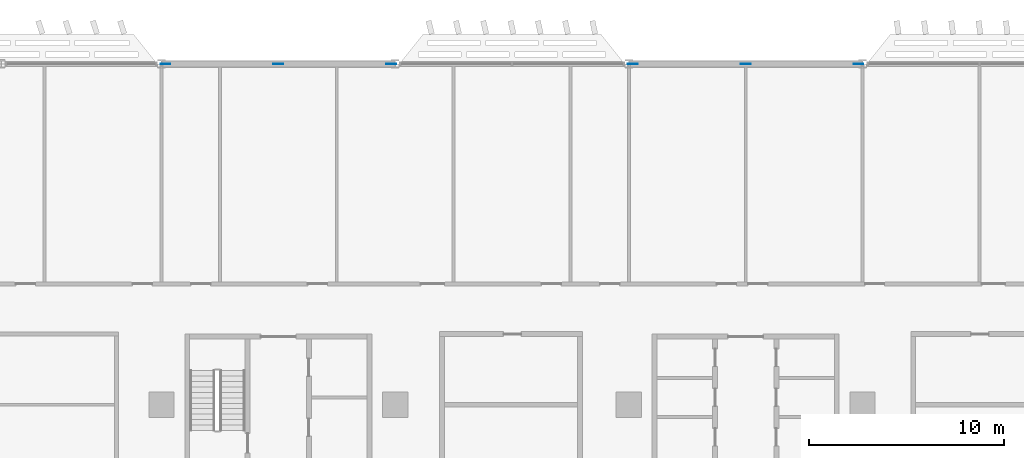
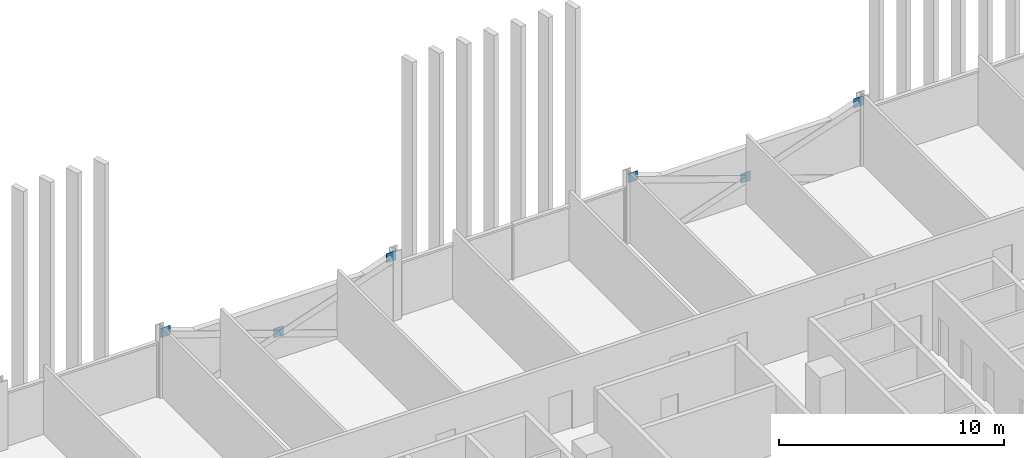
# One storey, part 22 of 32: 6 discrete accessories.
"""IFC4 building model written with IfcOpenShell, lengths in metres."""

from ifc_helpers import new_model, si_unit, direction, frame, origin, origin_2d, place, context, subcontext, project, spatial, rectangle, extrude, material, layer, layer_set, type_object, element, save


model = new_model("IFC4")

# Units and contexts
model_context = context("Model", 3, precision=1e-05, world=origin(), true_north=direction((0.0, 1.0)))
body_context = subcontext(model_context, "Body", "Model", "MODEL_VIEW")
ifc_project = project(units=[si_unit("LENGTHUNIT", "METRE"), si_unit("AREAUNIT", "SQUARE_METRE"), si_unit("VOLUMEUNIT", "CUBIC_METRE"), si_unit("PLANEANGLEUNIT", "RADIAN"), si_unit("MASSUNIT", "GRAM", prefix="KILO")], contexts=[model_context])

# Site, building, storey
site_placement = place(None, origin())
site = spatial("IfcSite", under=ifc_project, at=site_placement, CompositionType="ELEMENT")
building_placement = place(site_placement, origin())
building = spatial("IfcBuilding", under=site, at=building_placement, Name="Mahtab Terrace Research Tower", CompositionType="ELEMENT")
storey_placement = place(building_placement, frame((0.0, 0.0, 138.39990234375)))
storey = spatial("IfcBuildingStorey", under=building, at=storey_placement, Name="L32", CompositionType="ELEMENT", Elevation=138.39990234375)

# Discrete accessories
ifc_material = material(Name="Steel ASTM A992 Gr 50", Category="steel")
ifc_layer = layer(ifc_material, 0.030029296875)
ifc_layer_set = layer_set([ifc_layer], Name="Gusset plate 500x500x30")
discrete_accessory_type = type_object("IfcDiscreteAccessoryType", Name="Gusset plate 500x500x30", PredefinedType="USERDEFINED", material=ifc_layer_set)
for number, where, z_axis, x_axis, name in (
    (1, (-29.794189453125, 29.0, 3.131591796875), (0.0, 0.0, 1.0), (1.0, 0.0, 0.0), "Gusset plate"),
    (2, (-24.0, 29.0, 1.081787109375), (0.0, 0.0, 1.0), (1.0, 0.0, 0.0), "Gusset plate"),
    (3, (-18.205810546875, 29.0, 3.131591796875), (0.0, 0.0, 1.0), (1.0, 0.0, 0.0), "Gusset plate"),
    (4, (-5.794189453125, 29.0, 3.131591796875), (0.0, 0.0, 1.0), (1.0, 0.0, 0.0), "Gusset plate"),
    (5, (0.0, 29.0, 1.081787109375), (0.0, 0.0, 1.0), (1.0, 0.0, 0.0), "Gusset plate"),
    (6, (5.794189453125, 29.0, 3.131591796875), (0.0, 0.0, 1.0), (1.0, 0.0, 0.0), "Gusset plate"),
):
    element("IfcDiscreteAccessory", number, at=place(storey_placement, frame(where, z_axis=z_axis, x_axis=x_axis)), inside=storey, type_object=discrete_accessory_type, Name=name, ObjectType="GUSSET PLATE", PredefinedType="USERDEFINED", context=body_context, shape_type="SweptSolid", body=[
        extrude(rectangle(XDim=0.5, YDim=0.030029296875, at=origin_2d()), origin(), (0.0, 0.0, 1.0), 0.5),
    ])

save(model, "model.ifc")
